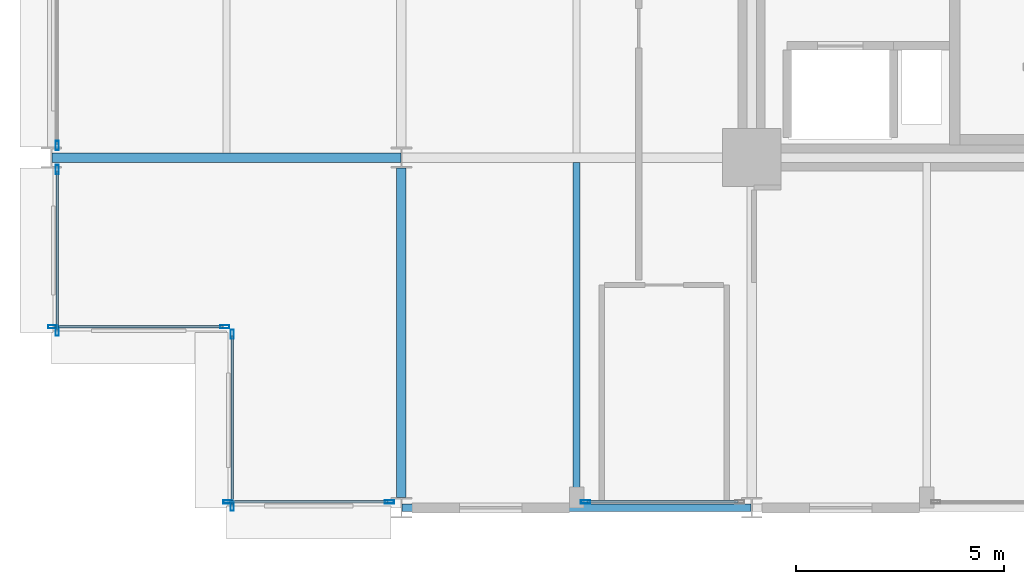
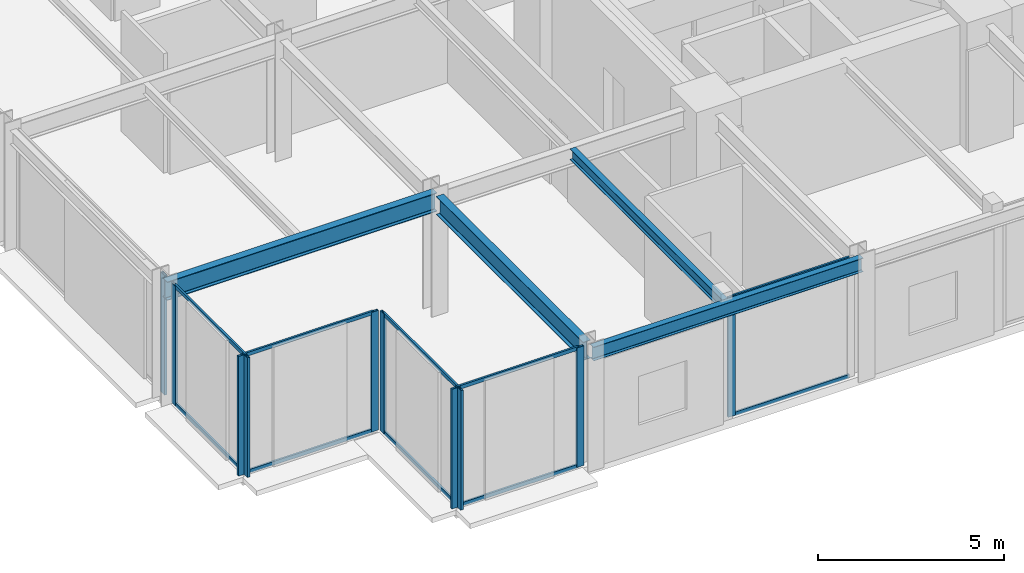
# One storey, part 2 of 25: 20 members, 4 beams, 6 elements without a shape of their own.
"""IFC4 building model written with IfcOpenShell, lengths in metres."""

from ifc_helpers import new_model, si_unit, direction, frame, origin, origin_2d, place, context, subcontext, project, spatial, hollow_rectangle, i_section, extrude, material, layer, layer_set, material_profile, profile_set, type_object, element, aggregate, save


model = new_model("IFC4")

# Units and contexts
model_context = context("Model", 3, precision=1e-05, world=origin(), true_north=direction((0.0, 1.0)))
body_context = subcontext(model_context, "Body", "Model", "MODEL_VIEW")
ifc_project = project(units=[si_unit("LENGTHUNIT", "METRE"), si_unit("AREAUNIT", "SQUARE_METRE"), si_unit("VOLUMEUNIT", "CUBIC_METRE"), si_unit("PLANEANGLEUNIT", "RADIAN"), si_unit("MASSUNIT", "GRAM", prefix="KILO")], contexts=[model_context])

# Site, building, storey
site_placement = place(None, origin())
site = spatial("IfcSite", under=ifc_project, at=site_placement, CompositionType="ELEMENT")
building_placement = place(site_placement, origin())
building = spatial("IfcBuilding", under=site, at=building_placement, Name="Nerrivon Quay Data Exchange", CompositionType="ELEMENT")
storey_placement = place(building_placement, frame((0.0, 0.0, 29.0)))
storey = spatial("IfcBuildingStorey", under=building, at=storey_placement, Name="L06", CompositionType="ELEMENT", Elevation=29.0)

# Beams
ifc_material_1 = material(Name="Steel Grade 350", Category="steel")
ifc_material_profile_1 = material_profile(ifc_material_1, i_section(OverallWidth=0.22900390625, OverallDepth=0.612060546875, WebThickness=0.011962890625, FlangeThickness=0.01953125, FilletRadius=0.013916015625, at=origin_2d()), Name="610UB125")
ifc_profile_set_1 = profile_set([ifc_material_profile_1], Name="Steel Grade 350")
beam_type_1 = type_object("IfcBeamType", Name="BM-G1-610UB125", PredefinedType="BEAM", material=ifc_profile_set_1)
beam_1_placement = place(storey_placement, frame((0.013916015625, 8.39990234375, 3.618896484375), z_axis=(1.0, 0.0, 0.0), x_axis=(0.0, 1.0, 0.0)))
element("IfcBeam", 1, at=beam_1_placement, inside=storey, type_object=beam_type_1, Name="L06 EW Girder Y=8.4 (0.0..8.4)", PredefinedType="BEAM", context=body_context, shape_type="SweptSolid", body=[
    extrude(i_section(OverallWidth=0.22900390625, OverallDepth=0.612060546875, WebThickness=0.011962890625, FlangeThickness=0.01953125, FilletRadius=0.013916015625, at=origin_2d()), origin(), (0.0, 0.0, 1.0), 8.3720703125),
])
ifc_material_profile_2 = material_profile(ifc_material_1, i_section(OverallWidth=0.22802734375, OverallDepth=0.60205078125, WebThickness=0.010498046875, FlangeThickness=0.014892578125, FilletRadius=0.013916015625, at=origin_2d()), Name="610UB101")
ifc_profile_set_2 = profile_set([ifc_material_profile_2], Name="Steel Grade 350")
beam_type_2 = type_object("IfcBeamType", Name="BM-G2-610UB101", PredefinedType="BEAM", material=ifc_profile_set_2)
beam_2_placement = place(storey_placement, frame((8.39990234375, 0.25, 3.6240234375), z_axis=(0.0, 1.0, 0.0), x_axis=(-1.0, 0.0, 0.0)))
element("IfcBeam", 2, at=beam_2_placement, inside=storey, type_object=beam_type_2, Name="L06 NS Girder X=8.4 (0.0..8.4)", PredefinedType="BEAM", context=body_context, shape_type="SweptSolid", body=[
    extrude(i_section(OverallWidth=0.22802734375, OverallDepth=0.60205078125, WebThickness=0.010498046875, FlangeThickness=0.014892578125, FilletRadius=0.013916015625, at=origin_2d()), origin(), (0.0, 0.0, 1.0), 7.89990234375),
])
ifc_material_profile_3 = material_profile(ifc_material_1, i_section(OverallWidth=0.172119140625, OverallDepth=0.35888671875, WebThickness=0.008056640625, FlangeThickness=0.012939453125, FilletRadius=0.011474609375, at=origin_2d()), Name="360UB56.7")
ifc_profile_set_3 = profile_set([ifc_material_profile_3], Name="Steel Grade 350")
beam_type_3 = type_object("IfcBeamType", Name="BM-J3-360UB57", PredefinedType="JOIST", material=ifc_profile_set_3)
beam_3_placement = place(storey_placement, frame((12.60009765625, 0.094970703125, 3.74560546875), z_axis=(0.0, 1.0, 0.0), x_axis=(-1.0, 0.0, 0.0)))
element("IfcBeam", 3, at=beam_3_placement, inside=storey, type_object=beam_type_3, Name="L06 Secondary Joist X=12.6 (0.0..8.4)", PredefinedType="JOIST", context=body_context, shape_type="SweptSolid", body=[
    extrude(i_section(OverallWidth=0.172119140625, OverallDepth=0.35888671875, WebThickness=0.008056640625, FlangeThickness=0.012939453125, FilletRadius=0.011474609375, at=origin_2d()), origin(), (0.0, 0.0, 1.0), 8.1904296875),
])
ifc_material_profile_4 = material_profile(ifc_material_1, i_section(OverallWidth=0.18994140625, OverallDepth=0.4541015625, WebThickness=0.008544921875, FlangeThickness=0.0126953125, FilletRadius=0.011474609375, at=origin_2d()), Name="460UB67.1")
ifc_profile_set_4 = profile_set([ifc_material_profile_4], Name="Steel Grade 350")
beam_type_4 = type_object("IfcBeamType", Name="BM-SP1-460UB67", PredefinedType="SPANDREL", material=ifc_profile_set_4)
beam_4_placement = place(storey_placement, frame((8.4140625, 0.0, 3.697998046875), z_axis=(1.0, 0.0, 0.0), x_axis=(0.0, 1.0, 0.0)))
element("IfcBeam", 4, at=beam_4_placement, inside=storey, type_object=beam_type_4, Name="L06 EW Girder Y=0.0 (8.4..16.8)", PredefinedType="SPANDREL", context=body_context, shape_type="SweptSolid", body=[
    extrude(i_section(OverallWidth=0.18994140625, OverallDepth=0.4541015625, WebThickness=0.008544921875, FlangeThickness=0.0126953125, FilletRadius=0.011474609375, at=origin_2d()), origin(), (0.0, 0.0, 1.0), 8.371826171875),
])

# Curtain wall, member
ifc_material_2 = material(Name="Anodised aluminium 6063-T6", Category="aluminium")
ifc_layer = layer(ifc_material_2, 0.219970703125)
ifc_layer_set = layer_set([ifc_layer], Name="Anodised aluminium 6063-T6")
curtain_wall_type = type_object("IfcCurtainWallType", Name="CW-SYS-01", PredefinedType="NOTDEFINED", material=ifc_layer_set)
curtain_wall_1_placement = place(storey_placement, origin())
curtain_wall_1 = element("IfcCurtainWall", 5, at=curtain_wall_1_placement, inside=storey, type_object=curtain_wall_type, Name="L06 Unitised Curtain Wall 8", PredefinedType="NOTDEFINED")
ifc_material_profile_5 = material_profile(ifc_material_2, hollow_rectangle(XDim=0.074951171875, YDim=0.219970703125, WallThickness=0.00390625, at=origin_2d()), Name="ALU-MULL-220x75")
ifc_profile_set_5 = profile_set([ifc_material_profile_5], Name="Anodised aluminium 6063-T6")
member_type_1 = type_object("IfcMemberType", Name="CWM-220x75", PredefinedType="MULLION", material=ifc_profile_set_5)
member_1_placement = place(storey_placement, frame((12.8125, 0.139892578125, 0.0), z_axis=(0.0, 0.0, 1.0), x_axis=(0.0, -1.0, 0.0)))
member_1 = element("IfcMember", 6, at=member_1_placement, type_object=member_type_1, Name="CW01 mullion 2", PredefinedType="MULLION", context=body_context, shape_type="SweptSolid", body=[
    extrude(hollow_rectangle(XDim=0.074951171875, YDim=0.219970703125, WallThickness=0.00390625, at=origin_2d()), origin(), (0.0, 0.0, 1.0), 3.925048828125),
])

# Curtain wall, members
curtain_wall_2_placement = place(storey_placement, origin())
curtain_wall_2 = element("IfcCurtainWall", 7, at=curtain_wall_2_placement, inside=storey, type_object=curtain_wall_type, Name="L06 Unitised Curtain Wall 10", PredefinedType="NOTDEFINED")
member_2_placement = place(storey_placement, frame((8.112548828125, 0.139892578125, 0.0), z_axis=(0.0, 0.0, 1.0), x_axis=(0.0, -1.0, 0.0)))
member_2 = element("IfcMember", 8, at=member_2_placement, type_object=member_type_1, Name="CW01 mullion 1", PredefinedType="MULLION", context=body_context, shape_type="SweptSolid", body=[
    extrude(hollow_rectangle(XDim=0.074951171875, YDim=0.219970703125, WallThickness=0.00390625, at=origin_2d()), origin(), (0.0, 0.0, 1.0), 3.925048828125),
])
member_3_placement = place(storey_placement, frame((4.237548828125, 0.139892578125, 0.0), z_axis=(0.0, 0.0, 1.0), x_axis=(0.0, -1.0, 0.0)))
member_3 = element("IfcMember", 9, at=member_3_placement, type_object=member_type_1, Name="CW01 mullion 2", PredefinedType="MULLION", context=body_context, shape_type="SweptSolid", body=[
    extrude(hollow_rectangle(XDim=0.074951171875, YDim=0.219970703125, WallThickness=0.00390625, at=origin_2d()), origin(), (0.0, 0.0, 1.0), 3.925048828125),
])

curtain_wall_3_placement = place(storey_placement, origin())
curtain_wall_3 = element("IfcCurtainWall", 10, at=curtain_wall_3_placement, inside=storey, type_object=curtain_wall_type, Name="L06 Unitised Curtain Wall 11", PredefinedType="NOTDEFINED")
member_4_placement = place(storey_placement, frame((4.340087890625, 0.03759765625, 0.0), z_axis=(0.0, 0.0, 1.0), x_axis=(-1.0, 0.0, 0.0)))
member_4 = element("IfcMember", 11, at=member_4_placement, type_object=member_type_1, Name="CW01 mullion 1", PredefinedType="MULLION", context=body_context, shape_type="SweptSolid", body=[
    extrude(hollow_rectangle(XDim=0.074951171875, YDim=0.219970703125, WallThickness=0.00390625, at=origin_2d()), origin(), (0.0, 0.0, 1.0), 3.925048828125),
])
member_5_placement = place(storey_placement, frame((4.340087890625, 4.16259765625, 0.0), z_axis=(0.0, 0.0, 1.0), x_axis=(-1.0, 0.0, 0.0)))
member_5 = element("IfcMember", 12, at=member_5_placement, type_object=member_type_1, Name="CW01 mullion 2", PredefinedType="MULLION", context=body_context, shape_type="SweptSolid", body=[
    extrude(hollow_rectangle(XDim=0.074951171875, YDim=0.219970703125, WallThickness=0.00390625, at=origin_2d()), origin(), (0.0, 0.0, 1.0), 3.925048828125),
])

curtain_wall_4_placement = place(storey_placement, origin())
curtain_wall_4 = element("IfcCurtainWall", 13, at=curtain_wall_4_placement, inside=storey, type_object=curtain_wall_type, Name="L06 Unitised Curtain Wall 12", PredefinedType="NOTDEFINED")
member_6_placement = place(storey_placement, frame((4.16259765625, 4.340087890625, 0.0), z_axis=(0.0, 0.0, 1.0), x_axis=(0.0, -1.0, 0.0)))
member_6 = element("IfcMember", 14, at=member_6_placement, type_object=member_type_1, Name="CW01 mullion 1", PredefinedType="MULLION", context=body_context, shape_type="SweptSolid", body=[
    extrude(hollow_rectangle(XDim=0.074951171875, YDim=0.219970703125, WallThickness=0.00390625, at=origin_2d()), origin(), (0.0, 0.0, 1.0), 3.925048828125),
])
member_7_placement = place(storey_placement, frame((0.03759765625, 4.340087890625, 0.0), z_axis=(0.0, 0.0, 1.0), x_axis=(0.0, -1.0, 0.0)))
member_7 = element("IfcMember", 15, at=member_7_placement, type_object=member_type_1, Name="CW01 mullion 2", PredefinedType="MULLION", context=body_context, shape_type="SweptSolid", body=[
    extrude(hollow_rectangle(XDim=0.074951171875, YDim=0.219970703125, WallThickness=0.00390625, at=origin_2d()), origin(), (0.0, 0.0, 1.0), 3.925048828125),
])

curtain_wall_5_placement = place(storey_placement, origin())
curtain_wall_5 = element("IfcCurtainWall", 16, at=curtain_wall_5_placement, inside=storey, type_object=curtain_wall_type, Name="L06 Unitised Curtain Wall 13", PredefinedType="NOTDEFINED")
member_8_placement = place(storey_placement, frame((0.139892578125, 4.237548828125, 0.0), z_axis=(0.0, 0.0, 1.0), x_axis=(-1.0, 0.0, 0.0)))
member_8 = element("IfcMember", 17, at=member_8_placement, type_object=member_type_1, Name="CW01 mullion 1", PredefinedType="MULLION", context=body_context, shape_type="SweptSolid", body=[
    extrude(hollow_rectangle(XDim=0.074951171875, YDim=0.219970703125, WallThickness=0.00390625, at=origin_2d()), origin(), (0.0, 0.0, 1.0), 3.925048828125),
])
member_9_placement = place(storey_placement, frame((0.139892578125, 8.112548828125, 0.0), z_axis=(0.0, 0.0, 1.0), x_axis=(-1.0, 0.0, 0.0)))
member_9 = element("IfcMember", 18, at=member_9_placement, type_object=member_type_1, Name="CW01 mullion 2", PredefinedType="MULLION", context=body_context, shape_type="SweptSolid", body=[
    extrude(hollow_rectangle(XDim=0.074951171875, YDim=0.219970703125, WallThickness=0.00390625, at=origin_2d()), origin(), (0.0, 0.0, 1.0), 3.925048828125),
])

# Curtain wall, member
curtain_wall_6_placement = place(storey_placement, origin())
curtain_wall_6 = element("IfcCurtainWall", 19, at=curtain_wall_6_placement, inside=storey, type_object=curtain_wall_type, Name="L06 Unitised Curtain Wall 14", PredefinedType="NOTDEFINED")
member_10_placement = place(storey_placement, frame((0.139892578125, 8.6875, 0.0), z_axis=(0.0, 0.0, 1.0), x_axis=(-1.0, 0.0, 0.0)))
member_10 = element("IfcMember", 20, at=member_10_placement, type_object=member_type_1, Name="CW01 mullion 1", PredefinedType="MULLION", context=body_context, shape_type="SweptSolid", body=[
    extrude(hollow_rectangle(XDim=0.074951171875, YDim=0.219970703125, WallThickness=0.00390625, at=origin_2d()), origin(), (0.0, 0.0, 1.0), 3.925048828125),
])
aggregate(curtain_wall_6, [member_10])

# Member
ifc_material_profile_6 = material_profile(ifc_material_2, hollow_rectangle(XDim=0.06005859375, YDim=0.1201171875, WallThickness=0.003173828125, at=origin_2d()), Name="ALU-TRAN-120x60")
ifc_profile_set_6 = profile_set([ifc_material_profile_6], Name="Anodised aluminium 6063-T6")
member_type_2 = type_object("IfcMemberType", Name="CWT-120x60", PredefinedType="USERDEFINED", material=ifc_profile_set_6)
member_11_placement = place(storey_placement, frame((16.47509765625, 0.139892578125, 0.032470703125), z_axis=(-1.0, 0.0, 0.0), x_axis=(0.0, -1.0, 0.0)))
member_11 = element("IfcMember", 21, at=member_11_placement, type_object=member_type_2, Name="CW01 transom 1.1", ObjectType="TRANSOM", PredefinedType="USERDEFINED", context=body_context, shape_type="SweptSolid", body=[
    extrude(hollow_rectangle(XDim=0.06005859375, YDim=0.1201171875, WallThickness=0.003173828125, at=origin_2d()), origin(), (0.0, 0.0, 1.0), 3.625),
])

member_12_placement = place(storey_placement, frame((16.47509765625, 0.139892578125, 3.892578125), z_axis=(-1.0, 0.0, 0.0), x_axis=(0.0, -1.0, 0.0)))
member_12 = element("IfcMember", 22, at=member_12_placement, type_object=member_type_2, Name="CW01 transom 1.2", ObjectType="TRANSOM", PredefinedType="USERDEFINED", context=body_context, shape_type="SweptSolid", body=[
    extrude(hollow_rectangle(XDim=0.06005859375, YDim=0.1201171875, WallThickness=0.003173828125, at=origin_2d()), origin(), (0.0, 0.0, 1.0), 3.625),
])

aggregate(curtain_wall_1, [member_1, member_11, member_12])

member_13_placement = place(storey_placement, frame((8.074951171875, 0.139892578125, 0.032470703125), z_axis=(-1.0, 0.0, 0.0), x_axis=(0.0, -1.0, 0.0)))
member_13 = element("IfcMember", 23, at=member_13_placement, type_object=member_type_2, Name="CW01 transom 1.1", ObjectType="TRANSOM", PredefinedType="USERDEFINED", context=body_context, shape_type="SweptSolid", body=[
    extrude(hollow_rectangle(XDim=0.06005859375, YDim=0.1201171875, WallThickness=0.003173828125, at=origin_2d()), origin(), (0.0, 0.0, 1.0), 3.800048828125),
])

member_14_placement = place(storey_placement, frame((8.074951171875, 0.139892578125, 3.892578125), z_axis=(-1.0, 0.0, 0.0), x_axis=(0.0, -1.0, 0.0)))
member_14 = element("IfcMember", 24, at=member_14_placement, type_object=member_type_2, Name="CW01 transom 1.2", ObjectType="TRANSOM", PredefinedType="USERDEFINED", context=body_context, shape_type="SweptSolid", body=[
    extrude(hollow_rectangle(XDim=0.06005859375, YDim=0.1201171875, WallThickness=0.003173828125, at=origin_2d()), origin(), (0.0, 0.0, 1.0), 3.800048828125),
])

aggregate(curtain_wall_2, [member_2, member_3, member_13, member_14])

member_15_placement = place(storey_placement, frame((4.340087890625, 0.074951171875, 0.032470703125), z_axis=(0.0, 1.0, 0.0), x_axis=(-1.0, 0.0, 0.0)))
member_15 = element("IfcMember", 25, at=member_15_placement, type_object=member_type_2, Name="CW01 transom 1.1", ObjectType="TRANSOM", PredefinedType="USERDEFINED", context=body_context, shape_type="SweptSolid", body=[
    extrude(hollow_rectangle(XDim=0.06005859375, YDim=0.1201171875, WallThickness=0.003173828125, at=origin_2d()), origin(), (0.0, 0.0, 1.0), 4.050048828125),
])

member_16_placement = place(storey_placement, frame((4.340087890625, 0.074951171875, 3.892578125), z_axis=(0.0, 1.0, 0.0), x_axis=(-1.0, 0.0, 0.0)))
member_16 = element("IfcMember", 26, at=member_16_placement, type_object=member_type_2, Name="CW01 transom 1.2", ObjectType="TRANSOM", PredefinedType="USERDEFINED", context=body_context, shape_type="SweptSolid", body=[
    extrude(hollow_rectangle(XDim=0.06005859375, YDim=0.1201171875, WallThickness=0.003173828125, at=origin_2d()), origin(), (0.0, 0.0, 1.0), 4.050048828125),
])

aggregate(curtain_wall_3, [member_4, member_5, member_15, member_16])

member_17_placement = place(storey_placement, frame((4.125, 4.340087890625, 0.032470703125), z_axis=(-1.0, 0.0, 0.0), x_axis=(0.0, -1.0, 0.0)))
member_17 = element("IfcMember", 27, at=member_17_placement, type_object=member_type_2, Name="CW01 transom 1.1", ObjectType="TRANSOM", PredefinedType="USERDEFINED", context=body_context, shape_type="SweptSolid", body=[
    extrude(hollow_rectangle(XDim=0.06005859375, YDim=0.1201171875, WallThickness=0.003173828125, at=origin_2d()), origin(), (0.0, 0.0, 1.0), 4.050048828125),
])

member_18_placement = place(storey_placement, frame((4.125, 4.340087890625, 3.892578125), z_axis=(-1.0, 0.0, 0.0), x_axis=(0.0, -1.0, 0.0)))
member_18 = element("IfcMember", 28, at=member_18_placement, type_object=member_type_2, Name="CW01 transom 1.2", ObjectType="TRANSOM", PredefinedType="USERDEFINED", context=body_context, shape_type="SweptSolid", body=[
    extrude(hollow_rectangle(XDim=0.06005859375, YDim=0.1201171875, WallThickness=0.003173828125, at=origin_2d()), origin(), (0.0, 0.0, 1.0), 4.050048828125),
])

aggregate(curtain_wall_4, [member_6, member_7, member_17, member_18])

member_19_placement = place(storey_placement, frame((0.139892578125, 4.27490234375, 0.032470703125), z_axis=(0.0, 1.0, 0.0), x_axis=(-1.0, 0.0, 0.0)))
member_19 = element("IfcMember", 29, at=member_19_placement, type_object=member_type_2, Name="CW01 transom 1.1", ObjectType="TRANSOM", PredefinedType="USERDEFINED", context=body_context, shape_type="SweptSolid", body=[
    extrude(hollow_rectangle(XDim=0.06005859375, YDim=0.1201171875, WallThickness=0.003173828125, at=origin_2d()), origin(), (0.0, 0.0, 1.0), 3.800048828125),
])

member_20_placement = place(storey_placement, frame((0.139892578125, 4.27490234375, 3.892578125), z_axis=(0.0, 1.0, 0.0), x_axis=(-1.0, 0.0, 0.0)))
member_20 = element("IfcMember", 30, at=member_20_placement, type_object=member_type_2, Name="CW01 transom 1.2", ObjectType="TRANSOM", PredefinedType="USERDEFINED", context=body_context, shape_type="SweptSolid", body=[
    extrude(hollow_rectangle(XDim=0.06005859375, YDim=0.1201171875, WallThickness=0.003173828125, at=origin_2d()), origin(), (0.0, 0.0, 1.0), 3.800048828125),
])

aggregate(curtain_wall_5, [member_8, member_9, member_19, member_20])

save(model, "model.ifc")
